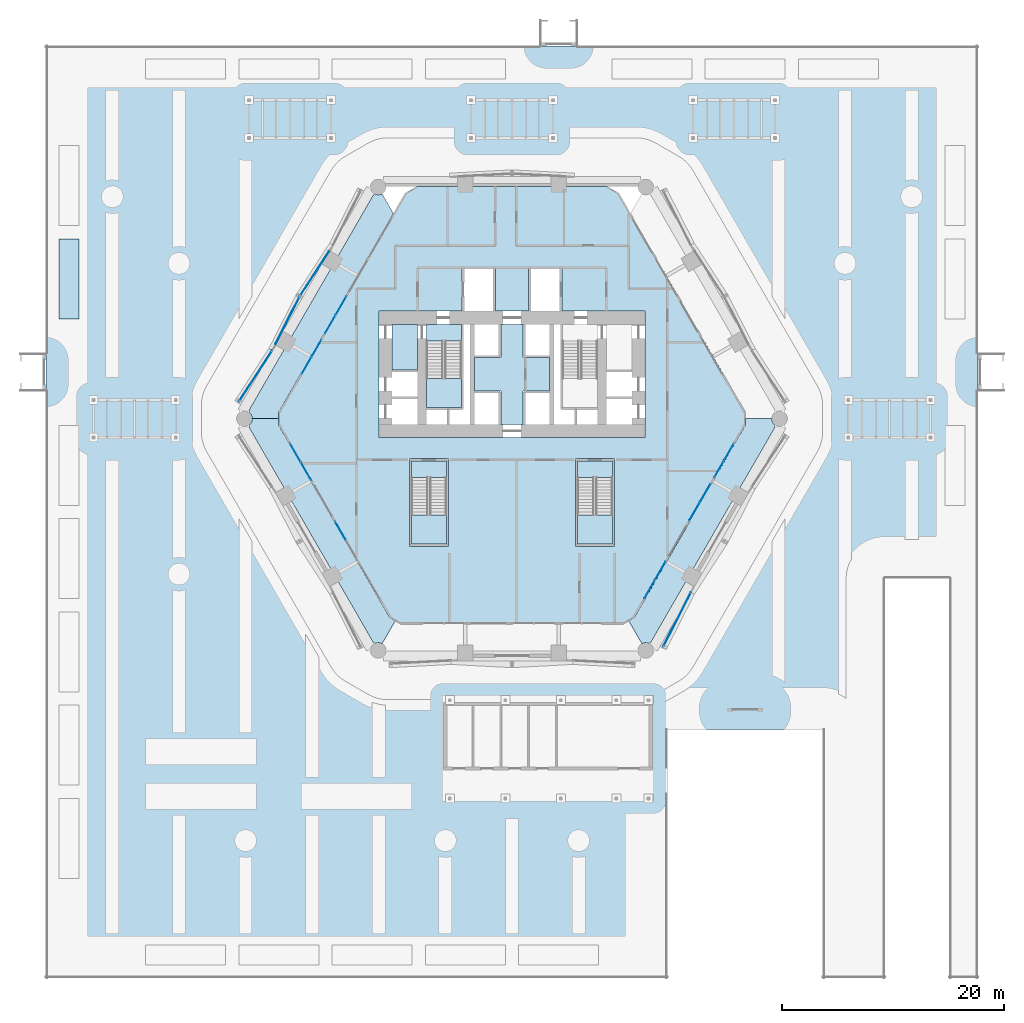
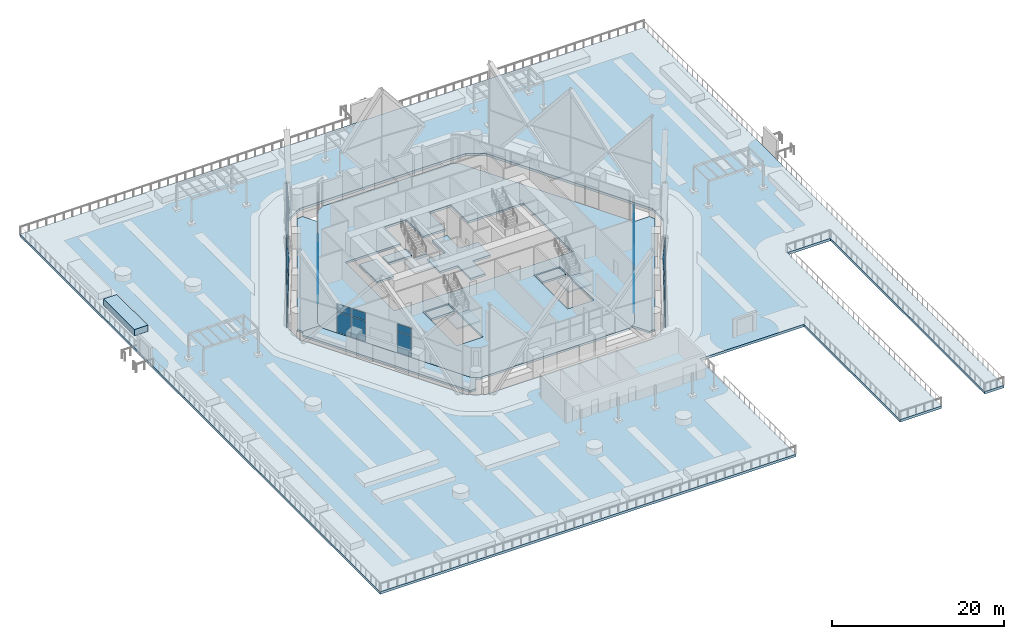
# One storey, part 50 of 71: 34 plates, 14 slabs, 16 elements without a shape of their own.
"""IFC4 building model written with IfcOpenShell, lengths in metres."""

from ifc_helpers import new_model, si_unit, direction, frame, origin, origin_2d, place, context, subcontext, project, spatial, polyline, rectangle, outline, extrude, material, layer, layer_set, type_object, element, aggregate, save


model = new_model("IFC4")

# Units and contexts
model_context = context("Model", 3, precision=1e-05, world=origin(), true_north=direction((0.0, 1.0)))
body_context = subcontext(model_context, "Body", "Model", "MODEL_VIEW")
ifc_project = project(units=[si_unit("LENGTHUNIT", "METRE"), si_unit("AREAUNIT", "SQUARE_METRE"), si_unit("VOLUMEUNIT", "CUBIC_METRE"), si_unit("PLANEANGLEUNIT", "RADIAN"), si_unit("MASSUNIT", "GRAM", prefix="KILO")], contexts=[model_context])

# Site, building, storey
site_placement = place(None, origin())
site = spatial("IfcSite", under=ifc_project, at=site_placement, CompositionType="ELEMENT")
building_placement = place(site_placement, origin())
building = spatial("IfcBuilding", under=site, at=building_placement, Name="Ostrander Bayou Hotel Tower", CompositionType="ELEMENT")
storey_placement = place(building_placement, frame((0.0, 0.0, 10.0)))
storey = spatial("IfcBuildingStorey", under=building, at=storey_placement, Name="L02", CompositionType="ELEMENT", Elevation=10.0)

# Curtain wall, plate
ifc_material_1 = material(Name="Aluminium and clear glass", Category="aluminium")
curtain_wall_type_1 = type_object("IfcCurtainWallType", Name="CW-LAT lattice glazing", PredefinedType="NOTDEFINED", material=ifc_material_1)
curtain_wall_1_placement = place(storey_placement, origin())
curtain_wall_1 = element("IfcCurtainWall", 1, at=curtain_wall_1_placement, inside=storey, type_object=curtain_wall_type_1, Name="CW-LAT L02 NW 1", PredefinedType="NOTDEFINED")
ifc_material_2 = material(Name="Clear laminated glass", Category="glass")
ifc_layer_1 = layer(ifc_material_2, 0.028076171875)
ifc_layer_set_1 = layer_set([ifc_layer_1], Name="CW-LA glazing panel 28 mm")
plate_type_1 = type_object("IfcPlateType", Name="CW-LA glazing panel 28 mm", PredefinedType="CURTAIN_PANEL", material=ifc_layer_set_1)
plate_1_placement = place(storey_placement, frame((-16.4912109375, 15.072509765625, 5.32666015625), z_axis=(-0.83866831588, 0.544642502875, 0.0), x_axis=(-0.343396219021, -0.528779019569, -0.776190559866)))
plate_1 = element("IfcPlate", 2, at=plate_1_placement, type_object=plate_type_1, Name="CW-LAT panel 3", PredefinedType="CURTAIN_PANEL", context=body_context, shape_type="SweptSolid", body=[
    extrude(outline(polyline([(0.0, 0.0), (7.635699426082664, 4.440892098500626e-16), (2.3964131469868084, 4.255864105640347), (-0.6389928144209789, 0.5190528705229763), (0.0, 0.0)])), origin(), (0.0, 0.0, -1.0), 0.028076171875),
])

curtain_wall_2_placement = place(storey_placement, origin())
curtain_wall_2 = element("IfcCurtainWall", 3, at=curtain_wall_2_placement, inside=storey, type_object=curtain_wall_type_1, Name="CW-LAT L02 NW 2", PredefinedType="NOTDEFINED")
plate_2_placement = place(storey_placement, frame((-16.4912109375, 15.072509765625, 6.973388671875), z_axis=(0.83866831588, -0.544642502875, 0.0), x_axis=(-0.343404741429, -0.528792142808, 0.776177848994)))
plate_2 = element("IfcPlate", 4, at=plate_2_placement, type_object=plate_type_1, Name="CW-LAT panel 4", PredefinedType="CURTAIN_PANEL", context=body_context, shape_type="SweptSolid", body=[
    extrude(outline(polyline([(0.0, 0.0), (7.6355099279858605, 4.440892098500626e-16), (2.396309447277595, 4.255969727682082), (-0.6391718468398792, 0.519219686468159), (0.0, 0.0)])), origin(), (0.0, 0.0, -1.0), 0.028076171875),
])

curtain_wall_3_placement = place(storey_placement, origin())
curtain_wall_3 = element("IfcCurtainWall", 5, at=curtain_wall_3_placement, inside=storey, type_object=curtain_wall_type_1, Name="CW-LAT L02 NW 3", PredefinedType="NOTDEFINED")
plate_3_placement = place(storey_placement, frame((-21.298583984375, 6.74609375, 5.326171875), z_axis=(0.891003109581, -0.453997201222, 0.0), x_axis=(0.286229179281, 0.561745949327, -0.776217975406)))
plate_3 = element("IfcPlate", 6, at=plate_3_placement, type_object=plate_type_1, Name="CW-LAT panel 5", PredefinedType="CURTAIN_PANEL", context=body_context, shape_type="SweptSolid", body=[
    extrude(outline(polyline([(0.0, 0.0), (7.634800686173872, 4.440892098500626e-16), (2.395329352183567, 4.255636279135456), (-0.6393943967333364, 0.5193329284506303), (0.0, 0.0)])), origin(), (0.0, 0.0, -1.0), 0.028076171875),
])
aggregate(curtain_wall_3, [plate_3])

curtain_wall_4_placement = place(storey_placement, origin())
curtain_wall_4 = element("IfcCurtainWall", 7, at=curtain_wall_4_placement, inside=storey, type_object=curtain_wall_type_1, Name="CW-LAT L02 NW 4", PredefinedType="NOTDEFINED")
plate_4_placement = place(storey_placement, frame((-21.298583984375, 6.74609375, 6.973876953125), z_axis=(-0.891003109581, 0.453997201222, 0.0), x_axis=(0.286236284004, 0.561759892872, 0.776205264398)))
plate_4 = element("IfcPlate", 8, at=plate_4_placement, type_object=plate_type_1, Name="CW-LAT panel 6", PredefinedType="CURTAIN_PANEL", context=body_context, shape_type="SweptSolid", body=[
    extrude(outline(polyline([(0.0, 0.0), (7.634611181383837, 4.440892098500626e-16), (2.3952256466946564, 4.2557419116870525), (-0.6395734295274879, 0.5194997450789859), (0.0, 0.0)])), origin(), (0.0, 0.0, -1.0), 0.028076171875),
])
aggregate(curtain_wall_4, [plate_4])

# Plate
plate_5_placement = place(storey_placement, frame((-21.602294921875, 6.14990234375, 6.14990234375), z_axis=(-0.838682608864, 0.544620493178, 0.0), x_axis=(-0.343376932244, -0.528779700664, -0.776198628296)))
plate_5 = element("IfcPlate", 9, at=plate_5_placement, type_object=plate_type_1, Name="CW-LAT panel 7", PredefinedType="CURTAIN_PANEL", context=body_context, shape_type="SweptSolid", body=[
    extrude(outline(polyline([(0.0, 0.0), (8.69622768442554, 0.0), (3.4568869434281657, 4.255797058099114), (0.0, 0.0)])), origin(), (0.0, 0.0, -1.0), 0.028076171875),
])

aggregate(curtain_wall_1, [plate_1, plate_5])

plate_6_placement = place(storey_placement, frame((-21.602294921875, 6.14990234375, 6.14990234375), z_axis=(0.838682608864, -0.544620493178, 0.0), x_axis=(-0.343376932244, -0.528779700664, 0.776198628296)))
plate_6 = element("IfcPlate", 10, at=plate_6_placement, type_object=plate_type_1, Name="CW-LAT panel 8", PredefinedType="CURTAIN_PANEL", context=body_context, shape_type="SweptSolid", body=[
    extrude(outline(polyline([(0.0, 0.0), (8.69622768442554, 0.0), (3.4568869434281657, 4.255797058099114), (0.0, 0.0)])), origin(), (0.0, 0.0, -1.0), 0.028076171875),
])

aggregate(curtain_wall_2, [plate_2, plate_6])

# Curtain wall, plate
curtain_wall_5_placement = place(storey_placement, origin())
curtain_wall_5 = element("IfcCurtainWall", 11, at=curtain_wall_5_placement, inside=storey, type_object=curtain_wall_type_1, Name="CW-LAT L02 SE 3", PredefinedType="NOTDEFINED")
plate_7_placement = place(storey_placement, frame((16.126953125, -15.63330078125, 6.14990234375), z_axis=(-0.891017407703, 0.453969139007, 0.0), x_axis=(-0.286219486036, -0.561770663617, -0.776203663553)))
plate_7 = element("IfcPlate", 12, at=plate_7_placement, type_object=plate_type_1, Name="CW-LAT panel 1", PredefinedType="CURTAIN_PANEL", context=body_context, shape_type="SweptSolid", body=[
    extrude(outline(polyline([(0.0, 0.0), (8.69617127173284, -8.881784197001252e-16), (3.4567965427527145, 4.255755214920665), (0.0, 0.0)])), origin(), (0.0, 0.0, -1.0), 0.028076171875),
])
aggregate(curtain_wall_5, [plate_7])

curtain_wall_6_placement = place(storey_placement, origin())
curtain_wall_6 = element("IfcCurtainWall", 13, at=curtain_wall_6_placement, inside=storey, type_object=curtain_wall_type_1, Name="CW-LAT L02 SE 4", PredefinedType="NOTDEFINED")
plate_8_placement = place(storey_placement, frame((16.126953125, -15.63330078125, 6.14990234375), z_axis=(0.891017407703, -0.453969139007, 0.0), x_axis=(-0.286219486036, -0.561770663617, 0.776203663553)))
plate_8 = element("IfcPlate", 14, at=plate_8_placement, type_object=plate_type_1, Name="CW-LAT panel 2", PredefinedType="CURTAIN_PANEL", context=body_context, shape_type="SweptSolid", body=[
    extrude(outline(polyline([(0.0, 0.0), (8.69617127173284, -8.881784197001252e-16), (3.4567965427527145, 4.255755214920665), (0.0, 0.0)])), origin(), (0.0, 0.0, -1.0), 0.028076171875),
])
aggregate(curtain_wall_6, [plate_8])

# Curtain wall, plates
ifc_material_3 = material(Name="Aluminium and clear glass", Category="aluminium")
curtain_wall_type_2 = type_object("IfcCurtainWallType", Name="CW-SKY amenity glass wall", PredefinedType="NOTDEFINED", material=ifc_material_3)
curtain_wall_7_placement = place(storey_placement, origin())
curtain_wall_7 = element("IfcCurtainWall", 15, at=curtain_wall_7_placement, inside=storey, type_object=curtain_wall_type_2, Name="CW-SKY L02 NW 3", PredefinedType="NOTDEFINED")
ifc_material_4 = material(Name="Clear laminated glass", Category="glass")
ifc_layer_2 = layer(ifc_material_4, 0.028076171875)
ifc_layer_set_2 = layer_set([ifc_layer_2], Name="CW-SK glazing panel 28 mm")
plate_type_2 = type_object("IfcPlateType", Name="CW-SK glazing panel 28 mm", PredefinedType="CURTAIN_PANEL", material=ifc_layer_set_2)
plate_9_placement = place(storey_placement, frame((-15.401611328125, 10.173828125, 0.06005859375), z_axis=(0.0, 0.0, 1.0), x_axis=(-0.499999897278, -0.866025463091, 0.0)))
plate_9 = element("IfcPlate", 16, at=plate_9_placement, type_object=plate_type_2, Name="CW-SKY panel 1.1", PredefinedType="CURTAIN_PANEL", context=body_context, shape_type="SweptSolid", body=[
    extrude(rectangle(XDim=1.860107421875, YDim=0.028076171875, at=origin_2d()), origin(), (0.0, 0.0, 1.0), 2.909912109375),
])
plate_10_placement = place(storey_placement, frame((-15.401611328125, 10.173828125, 3.02978515625), z_axis=(0.0, 0.0, 1.0), x_axis=(-0.499999897278, -0.866025463091, 0.0)))
plate_10 = element("IfcPlate", 17, at=plate_10_placement, type_object=plate_type_2, Name="CW-SKY panel 1.2", PredefinedType="CURTAIN_PANEL", context=body_context, shape_type="SweptSolid", body=[
    extrude(rectangle(XDim=1.860107421875, YDim=0.028076171875, at=origin_2d()), origin(), (0.0, 0.0, 1.0), 1.110107421875),
])
plate_11_placement = place(storey_placement, frame((-16.361572265625, 8.510986328125, 0.06005859375), z_axis=(0.0, 0.0, 1.0), x_axis=(-0.499999897278, -0.866025463091, 0.0)))
plate_11 = element("IfcPlate", 18, at=plate_11_placement, type_object=plate_type_2, Name="CW-SKY panel 2.1", PredefinedType="CURTAIN_PANEL", context=body_context, shape_type="SweptSolid", body=[
    extrude(rectangle(XDim=1.860107421875, YDim=0.028076171875, at=origin_2d()), origin(), (0.0, 0.0, 1.0), 2.909912109375),
])
plate_12_placement = place(storey_placement, frame((-16.361572265625, 8.510986328125, 3.02978515625), z_axis=(0.0, 0.0, 1.0), x_axis=(-0.499999897278, -0.866025463091, 0.0)))
plate_12 = element("IfcPlate", 19, at=plate_12_placement, type_object=plate_type_2, Name="CW-SKY panel 2.2", PredefinedType="CURTAIN_PANEL", context=body_context, shape_type="SweptSolid", body=[
    extrude(rectangle(XDim=1.860107421875, YDim=0.028076171875, at=origin_2d()), origin(), (0.0, 0.0, 1.0), 1.110107421875),
])
aggregate(curtain_wall_7, [plate_9, plate_10, plate_11, plate_12])

curtain_wall_8_placement = place(storey_placement, origin())
curtain_wall_8 = element("IfcCurtainWall", 20, at=curtain_wall_8_placement, inside=storey, type_object=curtain_wall_type_2, Name="CW-SKY L02 NW 4", PredefinedType="NOTDEFINED")
plate_13_placement = place(storey_placement, frame((-17.614013671875, 6.341552734375, 0.06005859375), z_axis=(0.0, 0.0, 1.0), x_axis=(-0.499998972029, -0.866025997283, 0.0)))
plate_13 = element("IfcPlate", 21, at=plate_13_placement, type_object=plate_type_2, Name="CW-SKY panel 1.1", PredefinedType="CURTAIN_PANEL", context=body_context, shape_type="SweptSolid", body=[
    extrude(rectangle(XDim=1.7099609375, YDim=0.028076171875, at=origin_2d()), origin(), (0.0, 0.0, 1.0), 2.909912109375),
])
plate_14_placement = place(storey_placement, frame((-17.614013671875, 6.341552734375, 3.02978515625), z_axis=(0.0, 0.0, 1.0), x_axis=(-0.499998972029, -0.866025997283, 0.0)))
plate_14 = element("IfcPlate", 22, at=plate_14_placement, type_object=plate_type_2, Name="CW-SKY panel 1.2", PredefinedType="CURTAIN_PANEL", context=body_context, shape_type="SweptSolid", body=[
    extrude(rectangle(XDim=1.7099609375, YDim=0.028076171875, at=origin_2d()), origin(), (0.0, 0.0, 1.0), 1.110107421875),
])
plate_15_placement = place(storey_placement, frame((-18.4990234375, 4.80859375, 0.06005859375), z_axis=(0.0, 0.0, 1.0), x_axis=(-0.499998972029, -0.866025997283, 0.0)))
plate_15 = element("IfcPlate", 23, at=plate_15_placement, type_object=plate_type_2, Name="CW-SKY panel 2.1", PredefinedType="CURTAIN_PANEL", context=body_context, shape_type="SweptSolid", body=[
    extrude(rectangle(XDim=1.7099609375, YDim=0.028076171875, at=origin_2d()), origin(), (0.0, 0.0, 1.0), 2.909912109375),
])
plate_16_placement = place(storey_placement, frame((-18.4990234375, 4.80859375, 3.02978515625), z_axis=(0.0, 0.0, 1.0), x_axis=(-0.499998972029, -0.866025997283, 0.0)))
plate_16 = element("IfcPlate", 24, at=plate_16_placement, type_object=plate_type_2, Name="CW-SKY panel 2.2", PredefinedType="CURTAIN_PANEL", context=body_context, shape_type="SweptSolid", body=[
    extrude(rectangle(XDim=1.7099609375, YDim=0.028076171875, at=origin_2d()), origin(), (0.0, 0.0, 1.0), 1.110107421875),
])
aggregate(curtain_wall_8, [plate_13, plate_14, plate_15, plate_16])

curtain_wall_9_placement = place(storey_placement, origin())
curtain_wall_9 = element("IfcCurtainWall", 25, at=curtain_wall_9_placement, inside=storey, type_object=curtain_wall_type_2, Name="CW-SKY L02 SW 1", PredefinedType="NOTDEFINED")
plate_17_placement = place(storey_placement, frame((-19.511474609375, -3.05517578125, 0.06005859375), z_axis=(0.0, 0.0, 1.0), x_axis=(0.499999897278, -0.866025463091, 0.0)))
plate_17 = element("IfcPlate", 26, at=plate_17_placement, type_object=plate_type_2, Name="CW-SKY panel 1.1", PredefinedType="CURTAIN_PANEL", context=body_context, shape_type="SweptSolid", body=[
    extrude(rectangle(XDim=1.860107421875, YDim=0.028076171875, at=origin_2d()), origin(), (0.0, 0.0, 1.0), 2.909912109375),
])
plate_18_placement = place(storey_placement, frame((-19.511474609375, -3.05517578125, 3.02978515625), z_axis=(0.0, 0.0, 1.0), x_axis=(0.499999897278, -0.866025463091, 0.0)))
plate_18 = element("IfcPlate", 27, at=plate_18_placement, type_object=plate_type_2, Name="CW-SKY panel 1.2", PredefinedType="CURTAIN_PANEL", context=body_context, shape_type="SweptSolid", body=[
    extrude(rectangle(XDim=1.860107421875, YDim=0.028076171875, at=origin_2d()), origin(), (0.0, 0.0, 1.0), 1.110107421875),
])
plate_19_placement = place(storey_placement, frame((-18.551513671875, -4.7177734375, 0.06005859375), z_axis=(0.0, 0.0, 1.0), x_axis=(0.499999897278, -0.866025463091, 0.0)))
plate_19 = element("IfcPlate", 28, at=plate_19_placement, type_object=plate_type_2, Name="CW-SKY panel 2.1", PredefinedType="CURTAIN_PANEL", context=body_context, shape_type="SweptSolid", body=[
    extrude(rectangle(XDim=1.860107421875, YDim=0.028076171875, at=origin_2d()), origin(), (0.0, 0.0, 1.0), 2.909912109375),
])
plate_20_placement = place(storey_placement, frame((-18.551513671875, -4.7177734375, 3.02978515625), z_axis=(0.0, 0.0, 1.0), x_axis=(0.499999897278, -0.866025463091, 0.0)))
plate_20 = element("IfcPlate", 29, at=plate_20_placement, type_object=plate_type_2, Name="CW-SKY panel 2.2", PredefinedType="CURTAIN_PANEL", context=body_context, shape_type="SweptSolid", body=[
    extrude(rectangle(XDim=1.860107421875, YDim=0.028076171875, at=origin_2d()), origin(), (0.0, 0.0, 1.0), 1.110107421875),
])
aggregate(curtain_wall_9, [plate_17, plate_18, plate_19, plate_20])

curtain_wall_10_placement = place(storey_placement, origin())
curtain_wall_10 = element("IfcCurtainWall", 30, at=curtain_wall_10_placement, inside=storey, type_object=curtain_wall_type_2, Name="CW-SKY L02 SW 3", PredefinedType="NOTDEFINED")
plate_21_placement = place(storey_placement, frame((-15.46142578125, -10.06982421875, 0.06005859375), z_axis=(0.0, 0.0, 1.0), x_axis=(0.499999897278, -0.866025463091, 0.0)))
plate_21 = element("IfcPlate", 31, at=plate_21_placement, type_object=plate_type_2, Name="CW-SKY panel 1.1", PredefinedType="CURTAIN_PANEL", context=body_context, shape_type="SweptSolid", body=[
    extrude(rectangle(XDim=1.860107421875, YDim=0.028076171875, at=origin_2d()), origin(), (0.0, 0.0, 1.0), 2.909912109375),
])
plate_22_placement = place(storey_placement, frame((-15.46142578125, -10.06982421875, 3.02978515625), z_axis=(0.0, 0.0, 1.0), x_axis=(0.499999897278, -0.866025463091, 0.0)))
plate_22 = element("IfcPlate", 32, at=plate_22_placement, type_object=plate_type_2, Name="CW-SKY panel 1.2", PredefinedType="CURTAIN_PANEL", context=body_context, shape_type="SweptSolid", body=[
    extrude(rectangle(XDim=1.860107421875, YDim=0.028076171875, at=origin_2d()), origin(), (0.0, 0.0, 1.0), 1.110107421875),
])
aggregate(curtain_wall_10, [plate_21, plate_22])

curtain_wall_11_placement = place(storey_placement, origin())
curtain_wall_11 = element("IfcCurtainWall", 33, at=curtain_wall_11_placement, inside=storey, type_object=curtain_wall_type_2, Name="CW-SKY L02 SE 1", PredefinedType="NOTDEFINED")
plate_23_placement = place(storey_placement, frame((12.401611328125, -15.369873046875, 0.06005859375), z_axis=(0.0, 0.0, 1.0), x_axis=(0.499999897278, 0.866025463091, 0.0)))
plate_23 = element("IfcPlate", 34, at=plate_23_placement, type_object=plate_type_2, Name="CW-SKY panel 1.1", PredefinedType="CURTAIN_PANEL", context=body_context, shape_type="SweptSolid", body=[
    extrude(rectangle(XDim=1.860107421875, YDim=0.028076171875, at=origin_2d()), origin(), (0.0, 0.0, 1.0), 2.909912109375),
])
plate_24_placement = place(storey_placement, frame((12.401611328125, -15.369873046875, 3.02978515625), z_axis=(0.0, 0.0, 1.0), x_axis=(0.499999897278, 0.866025463091, 0.0)))
plate_24 = element("IfcPlate", 35, at=plate_24_placement, type_object=plate_type_2, Name="CW-SKY panel 1.2", PredefinedType="CURTAIN_PANEL", context=body_context, shape_type="SweptSolid", body=[
    extrude(rectangle(XDim=1.860107421875, YDim=0.028076171875, at=origin_2d()), origin(), (0.0, 0.0, 1.0), 1.110107421875),
])
plate_25_placement = place(storey_placement, frame((13.361572265625, -13.707275390625, 0.06005859375), z_axis=(0.0, 0.0, 1.0), x_axis=(0.499999897278, 0.866025463091, 0.0)))
plate_25 = element("IfcPlate", 36, at=plate_25_placement, type_object=plate_type_2, Name="CW-SKY panel 2.1", PredefinedType="CURTAIN_PANEL", context=body_context, shape_type="SweptSolid", body=[
    extrude(rectangle(XDim=1.860107421875, YDim=0.028076171875, at=origin_2d()), origin(), (0.0, 0.0, 1.0), 2.909912109375),
])
plate_26_placement = place(storey_placement, frame((13.361572265625, -13.707275390625, 3.02978515625), z_axis=(0.0, 0.0, 1.0), x_axis=(0.499999897278, 0.866025463091, 0.0)))
plate_26 = element("IfcPlate", 37, at=plate_26_placement, type_object=plate_type_2, Name="CW-SKY panel 2.2", PredefinedType="CURTAIN_PANEL", context=body_context, shape_type="SweptSolid", body=[
    extrude(rectangle(XDim=1.860107421875, YDim=0.028076171875, at=origin_2d()), origin(), (0.0, 0.0, 1.0), 1.110107421875),
])
aggregate(curtain_wall_11, [plate_23, plate_24, plate_25, plate_26])

curtain_wall_12_placement = place(storey_placement, origin())
curtain_wall_12 = element("IfcCurtainWall", 38, at=curtain_wall_12_placement, inside=storey, type_object=curtain_wall_type_2, Name="CW-SKY L02 SE 3", PredefinedType="NOTDEFINED")
plate_27_placement = place(storey_placement, frame((16.451416015625, -8.355224609375, 0.06005859375), z_axis=(0.0, 0.0, 1.0), x_axis=(0.499999897278, 0.866025463091, 0.0)))
plate_27 = element("IfcPlate", 39, at=plate_27_placement, type_object=plate_type_2, Name="CW-SKY panel 1.1", PredefinedType="CURTAIN_PANEL", context=body_context, shape_type="SweptSolid", body=[
    extrude(rectangle(XDim=1.860107421875, YDim=0.028076171875, at=origin_2d()), origin(), (0.0, 0.0, 1.0), 2.909912109375),
])
plate_28_placement = place(storey_placement, frame((16.451416015625, -8.355224609375, 3.02978515625), z_axis=(0.0, 0.0, 1.0), x_axis=(0.499999897278, 0.866025463091, 0.0)))
plate_28 = element("IfcPlate", 40, at=plate_28_placement, type_object=plate_type_2, Name="CW-SKY panel 1.2", PredefinedType="CURTAIN_PANEL", context=body_context, shape_type="SweptSolid", body=[
    extrude(rectangle(XDim=1.860107421875, YDim=0.028076171875, at=origin_2d()), origin(), (0.0, 0.0, 1.0), 1.110107421875),
])
plate_29_placement = place(storey_placement, frame((17.41162109375, -6.6923828125, 0.06005859375), z_axis=(0.0, 0.0, 1.0), x_axis=(0.499999897278, 0.866025463091, 0.0)))
plate_29 = element("IfcPlate", 41, at=plate_29_placement, type_object=plate_type_2, Name="CW-SKY panel 2.1", PredefinedType="CURTAIN_PANEL", context=body_context, shape_type="SweptSolid", body=[
    extrude(rectangle(XDim=1.860107421875, YDim=0.028076171875, at=origin_2d()), origin(), (0.0, 0.0, 1.0), 2.909912109375),
])
plate_30_placement = place(storey_placement, frame((17.41162109375, -6.6923828125, 3.02978515625), z_axis=(0.0, 0.0, 1.0), x_axis=(0.499999897278, 0.866025463091, 0.0)))
plate_30 = element("IfcPlate", 42, at=plate_30_placement, type_object=plate_type_2, Name="CW-SKY panel 2.2", PredefinedType="CURTAIN_PANEL", context=body_context, shape_type="SweptSolid", body=[
    extrude(rectangle(XDim=1.860107421875, YDim=0.028076171875, at=origin_2d()), origin(), (0.0, 0.0, 1.0), 1.110107421875),
])
aggregate(curtain_wall_12, [plate_27, plate_28, plate_29, plate_30])

curtain_wall_13_placement = place(storey_placement, origin())
curtain_wall_13 = element("IfcCurtainWall", 43, at=curtain_wall_13_placement, inside=storey, type_object=curtain_wall_type_2, Name="CW-SKY L02 SE 4", PredefinedType="NOTDEFINED")
plate_31_placement = place(storey_placement, frame((18.6640625, -4.52294921875, 0.06005859375), z_axis=(0.0, 0.0, 1.0), x_axis=(0.499998972029, 0.866025997283, 0.0)))
plate_31 = element("IfcPlate", 44, at=plate_31_placement, type_object=plate_type_2, Name="CW-SKY panel 1.1", PredefinedType="CURTAIN_PANEL", context=body_context, shape_type="SweptSolid", body=[
    extrude(rectangle(XDim=1.7099609375, YDim=0.028076171875, at=origin_2d()), origin(), (0.0, 0.0, 1.0), 2.909912109375),
])
plate_32_placement = place(storey_placement, frame((18.6640625, -4.52294921875, 3.02978515625), z_axis=(0.0, 0.0, 1.0), x_axis=(0.499998972029, 0.866025997283, 0.0)))
plate_32 = element("IfcPlate", 45, at=plate_32_placement, type_object=plate_type_2, Name="CW-SKY panel 1.2", PredefinedType="CURTAIN_PANEL", context=body_context, shape_type="SweptSolid", body=[
    extrude(rectangle(XDim=1.7099609375, YDim=0.028076171875, at=origin_2d()), origin(), (0.0, 0.0, 1.0), 1.110107421875),
])
plate_33_placement = place(storey_placement, frame((19.549072265625, -2.990234375, 0.06005859375), z_axis=(0.0, 0.0, 1.0), x_axis=(0.499998972029, 0.866025997283, 0.0)))
plate_33 = element("IfcPlate", 46, at=plate_33_placement, type_object=plate_type_2, Name="CW-SKY panel 2.1", PredefinedType="CURTAIN_PANEL", context=body_context, shape_type="SweptSolid", body=[
    extrude(rectangle(XDim=1.7099609375, YDim=0.028076171875, at=origin_2d()), origin(), (0.0, 0.0, 1.0), 2.909912109375),
])
plate_34_placement = place(storey_placement, frame((19.549072265625, -2.990234375, 3.02978515625), z_axis=(0.0, 0.0, 1.0), x_axis=(0.499998972029, 0.866025997283, 0.0)))
plate_34 = element("IfcPlate", 47, at=plate_34_placement, type_object=plate_type_2, Name="CW-SKY panel 2.2", PredefinedType="CURTAIN_PANEL", context=body_context, shape_type="SweptSolid", body=[
    extrude(rectangle(XDim=1.7099609375, YDim=0.028076171875, at=origin_2d()), origin(), (0.0, 0.0, 1.0), 1.110107421875),
])
aggregate(curtain_wall_13, [plate_31, plate_32, plate_33, plate_34])

# Slabs
ifc_material_5 = material(Name="Concrete f'c 40 MPa", Category="concrete")
ifc_layer_3 = layer(ifc_material_5, 0.89990234375)
ifc_layer_set_3 = layer_set([ifc_layer_3], Name="PL1 planter bed 900 mm soil")
slab_type_1 = type_object("IfcSlabType", Name="PL1 planter bed 900 mm soil", PredefinedType="FLOOR", material=ifc_layer_set_3)
slab_1_placement = place(storey_placement, origin())
element("IfcSlab", 48, at=slab_1_placement, inside=storey, type_object=slab_type_1, Name="PLANTER 19", PredefinedType="FLOOR", context=body_context, shape_type="SweptSolid", body=[
    extrude(outline(polyline([(-39.0, 9.0), (-39.0, 16.199951171875), (-40.800048828125, 16.199951171875), (-40.800048828125, 9.0), (-39.0, 9.0)])), origin(), (0.0, 0.0, 1.0), 0.89990234375),
])
ifc_material_6 = material(Name="Concrete f'c 40 MPa", Category="concrete")
ifc_layer_4 = layer(ifc_material_6, 0.300048828125)
ifc_layer_set_4 = layer_set([ifc_layer_4], Name="SL1 floor slab 300 mm f'c 40 MPa")
slab_type_2 = type_object("IfcSlabType", Name="SL1 floor slab 300 mm f'c 40 MPa", PredefinedType="FLOOR", material=ifc_layer_set_4)
slab_2_placement = place(storey_placement, frame((0.0, 0.0, -0.300048828125)))
element("IfcSlab", 49, at=slab_2_placement, inside=storey, type_object=slab_type_2, Name="SL1 L02 1", PredefinedType="FLOOR", context=body_context, shape_type="SweptSolid", body=[
    extrude(outline(polyline([(-3.525390625, 20.89990234375), (3.525390625, 20.89990234375), (4.865478515625, 20.89990234375), (8.6025390625, 20.89990234375), (9.6416015625, 20.300048828125), (21.015380859375, 0.60009765625), (21.015380859375, -0.60009765625), (11.02734375, -17.89990234375), (9.98828125, -18.5), (-9.98828125, -18.5), (-11.02734375, -17.89990234375), (-21.015380859375, -0.60009765625), (-21.015380859375, 0.60009765625), (-9.6416015625, 20.300048828125), (-8.6025390625, 20.89990234375), (-4.865478515625, 20.89990234375), (-3.525390625, 20.89990234375)]), holes=[polyline([(-12.0, -1.699951171875), (12.0, -1.699951171875), (12.0, 9.699951171875), (4.5, 9.699951171875), (4.5, 13.60009765625), (1.5, 13.60009765625), (1.5, 9.699951171875), (-1.5, 9.699951171875), (-1.5, 13.60009765625), (-4.5, 13.60009765625), (-4.5, 9.699951171875), (-12.0, 9.699951171875), (-12.0, -1.699951171875)]), polyline([(9.25, -3.60009765625), (5.699951171875, -3.60009765625), (5.699951171875, -11.5), (9.25, -11.5), (9.25, -3.60009765625)]), polyline([(-5.699951171875, -3.60009765625), (-9.25, -3.60009765625), (-9.25, -11.5), (-5.699951171875, -11.5), (-5.699951171875, -3.60009765625)])]), origin(), (0.0, 0.0, 1.0), 0.300048828125),
])
slab_3_placement = place(storey_placement, frame((0.0, 0.0, -0.300048828125)))
element("IfcSlab", 50, at=slab_3_placement, inside=storey, type_object=slab_type_2, Name="cslab:L02:001", PredefinedType="FLOOR", context=body_context, shape_type="SweptSolid", body=[
    extrude(outline(polyline([(-3.39990234375, 5.5), (-1.0, 5.5), (-1.0, 8.5), (1.0, 8.5), (1.0, 5.5), (3.39990234375, 5.5), (3.39990234375, 2.5), (1.0, 2.5), (1.0, -0.5), (-1.0, -0.5), (-1.0, 2.5), (-3.39990234375, 2.5), (-3.39990234375, 5.5)])), origin(), (0.0, 0.0, 1.0), 0.300048828125),
])
slab_4_placement = place(storey_placement, frame((0.0, 0.0, -0.300048828125)))
element("IfcSlab", 51, at=slab_4_placement, inside=storey, type_object=slab_type_2, Name="cslab:L02:002", PredefinedType="FLOOR", context=body_context, shape_type="SweptSolid", body=[
    extrude(outline(polyline([(-8.5, 4.39990234375), (-8.5, 8.5), (-10.800048828125, 8.5), (-10.800048828125, 4.39990234375), (-8.5, 4.39990234375)])), origin(), (0.0, 0.0, 1.0), 0.300048828125),
])
slab_5_placement = place(storey_placement, frame((0.0, 0.0, -0.300048828125)))
element("IfcSlab", 52, at=slab_5_placement, inside=storey, type_object=slab_type_2, Name="cslab:L02:004", PredefinedType="FLOOR", context=body_context, shape_type="SweptSolid", body=[
    extrude(outline(polyline([(-4.550048828125, 7.0), (-4.550048828125, 8.5), (-7.699951171875, 8.5), (-7.699951171875, 7.0), (-4.550048828125, 7.0)])), origin(), (0.0, 0.0, 1.0), 0.300048828125),
])
slab_6_placement = place(storey_placement, frame((0.0, 0.0, -0.300048828125)))
element("IfcSlab", 53, at=slab_6_placement, inside=storey, type_object=slab_type_2, Name="cslab:L02:006", PredefinedType="FLOOR", context=body_context, shape_type="SweptSolid", body=[
    extrude(outline(polyline([(9.050048828125, -5.300048828125), (9.050048828125, -3.800048828125), (5.89990234375, -3.800048828125), (5.89990234375, -5.300048828125), (9.050048828125, -5.300048828125)])), origin(), (0.0, 0.0, 1.0), 0.300048828125),
])
slab_7_placement = place(storey_placement, frame((0.0, 0.0, -0.300048828125)))
element("IfcSlab", 54, at=slab_7_placement, inside=storey, type_object=slab_type_2, Name="cslab:L02:007", PredefinedType="FLOOR", context=body_context, shape_type="SweptSolid", body=[
    extrude(outline(polyline([(-5.89990234375, -5.300048828125), (-5.89990234375, -3.800048828125), (-9.050048828125, -3.800048828125), (-9.050048828125, -5.300048828125), (-5.89990234375, -5.300048828125)])), origin(), (0.0, 0.0, 1.0), 0.300048828125),
])
ifc_material_7 = material(Name="Concrete f'c 45 MPa", Category="concrete")
ifc_layer_5 = layer(ifc_material_7, 0.35009765625)
ifc_layer_set_5 = layer_set([ifc_layer_5], Name="SL3 garden deck slab 350 mm f'c 45 MPa")
slab_type_3 = type_object("IfcSlabType", Name="SL3 garden deck slab 350 mm f'c 45 MPa", PredefinedType="FLOOR", material=ifc_layer_set_5)
slab_8_placement = place(storey_placement, frame((0.0, 0.0, -0.35009765625)))
element("IfcSlab", 55, at=slab_8_placement, inside=storey, type_object=slab_type_3, Name="SL3 DECK 1", PredefinedType="FLOOR", context=body_context, shape_type="SweptSolid", body=[
    extrude(outline(polyline([(42.0, 33.60009765625), (42.0, -50.39990234375), (39.39990234375, -50.39990234375), (39.39990234375, -14.39990234375), (33.60009765625, -14.39990234375), (33.60009765625, -50.39990234375), (28.0, -50.39990234375), (28.0, -28.0), (14.0, -28.0), (14.0, -50.39990234375), (-42.0, -50.39990234375), (-42.0, 33.60009765625), (42.0, 33.60009765625)]), holes=[polyline([(-13.279052734375, -20.60009765625), (-11.20068359375, -21.800048828125), (11.20068359375, -21.800048828125), (13.279052734375, -20.60009765625), (24.479736328125, -1.199951171875), (24.479736328125, 1.199951171875), (13.279052734375, 20.60009765625), (11.20068359375, 21.800048828125), (-11.20068359375, 21.800048828125), (-13.279052734375, 20.60009765625), (-24.479736328125, 1.199951171875), (-24.479736328125, -1.199951171875), (-13.279052734375, -20.60009765625)])]), origin(), (0.0, 0.0, 1.0), 0.35009765625),
])
ifc_material_8 = material(Name="Concrete f'c 40 MPa", Category="concrete")
ifc_layer_6 = layer(ifc_material_8, 0.300048828125)
ifc_layer_set_6 = layer_set([ifc_layer_6], Name="SL4 loggia slab 300 mm f'c 40 MPa")
slab_type_4 = type_object("IfcSlabType", Name="SL4 loggia slab 300 mm f'c 40 MPa", PredefinedType="FLOOR", material=ifc_layer_set_6)
slab_9_placement = place(storey_placement, frame((0.0, 0.0, -0.300048828125)))
element("IfcSlab", 56, at=slab_9_placement, inside=storey, type_object=slab_type_4, Name="SL4 LOGGIA L02 NW 1", PredefinedType="FLOOR", context=body_context, shape_type="SweptSolid", body=[
    extrude(outline(polyline([(-23.401123046875, 0.0), (-23.41455078125, 0.13671875), (-23.45458984375, 0.267822265625), (-23.519287109375, 0.388916015625), (-23.606201171875, 0.4951171875), (-23.7001953125, 0.572021484375), (-23.7001953125, 0.75), (-20.53271484375, 6.236328125), (-19.862548828125, 7.39697265625), (-16.337158203125, 13.503173828125), (-15.667236328125, 14.66357421875), (-12.49951171875, 20.14990234375), (-12.344482421875, 20.239501953125), (-12.318603515625, 20.2255859375), (-12.187255859375, 20.185791015625), (-12.050537109375, 20.172119140625), (-11.9140625, 20.185791015625), (-11.78271484375, 20.2255859375), (-11.7021484375, 20.2685546875), (-10.680908203125, 18.5), (-21.015380859375, 0.60009765625), (-21.015380859375, 0.0), (-23.401123046875, 0.0)])), origin(), (0.0, 0.0, 1.0), 0.300048828125),
])
slab_10_placement = place(storey_placement, frame((0.0, 0.0, -0.300048828125)))
element("IfcSlab", 57, at=slab_10_placement, inside=storey, type_object=slab_type_4, Name="SL4 LOGGIA L02 SW 1", PredefinedType="FLOOR", context=body_context, shape_type="SweptSolid", body=[
    extrude(outline(polyline([(-10.5078125, -18.199951171875), (-11.7021484375, -20.2685546875), (-11.78271484375, -20.2255859375), (-11.9140625, -20.185791015625), (-12.050537109375, -20.172119140625), (-12.187255859375, -20.185791015625), (-12.318603515625, -20.2255859375), (-12.344482421875, -20.239501953125), (-12.49951171875, -20.14990234375), (-15.667236328125, -14.66357421875), (-16.337158203125, -13.503173828125), (-19.862548828125, -7.39697265625), (-20.53271484375, -6.236328125), (-23.505126953125, -1.087890625), (-23.7001953125, -0.75), (-23.7001953125, -0.572021484375), (-23.606201171875, -0.4951171875), (-23.519287109375, -0.388916015625), (-23.45458984375, -0.267822265625), (-23.41455078125, -0.13671875), (-23.401123046875, 0.0), (-21.015380859375, 0.0), (-21.015380859375, -0.60009765625), (-11.02734375, -17.89990234375), (-10.5078125, -18.199951171875)])), origin(), (0.0, 0.0, 1.0), 0.300048828125),
])
slab_11_placement = place(storey_placement, frame((0.0, 0.0, -0.300048828125)))
element("IfcSlab", 58, at=slab_11_placement, inside=storey, type_object=slab_type_4, Name="SL4 LOGGIA L02 SE 1", PredefinedType="FLOOR", context=body_context, shape_type="SweptSolid", body=[
    extrude(outline(polyline([(21.015380859375, 0.0), (23.401123046875, 0.0), (23.41455078125, -0.13671875), (23.45458984375, -0.267822265625), (23.519287109375, -0.388916015625), (23.606201171875, -0.4951171875), (23.7001953125, -0.572021484375), (23.7001953125, -0.75), (20.53271484375, -6.236328125), (19.862548828125, -7.39697265625), (16.337158203125, -13.503173828125), (15.667236328125, -14.66357421875), (12.49951171875, -20.14990234375), (12.344482421875, -20.239501953125), (12.318603515625, -20.2255859375), (12.187255859375, -20.185791015625), (12.050537109375, -20.172119140625), (11.9140625, -20.185791015625), (11.78271484375, -20.2255859375), (11.7021484375, -20.2685546875), (10.5078125, -18.199951171875), (11.02734375, -17.89990234375), (21.015380859375, -0.60009765625), (21.015380859375, 0.0)])), origin(), (0.0, 0.0, 1.0), 0.300048828125),
])

# Stair, slab
ifc_material_9 = material(Name="Concrete f'c 45 MPa", Category="concrete")
stair_type = type_object("IfcStairType", Name="ST1 exit stair 1500 mm f'c 45 MPa", PredefinedType="HALF_TURN_STAIR", material=ifc_material_9)
stair_1_placement = place(storey_placement, origin())
stair_1 = element("IfcStair", 59, at=stair_1_placement, inside=storey, type_object=stair_type, Name="L02 exit stair A", PredefinedType="HALF_TURN_STAIR")
ifc_material_10 = material(Name="Concrete f'c 45 MPa", Category="concrete")
ifc_layer_7 = layer(ifc_material_10, 0.199951171875)
ifc_layer_set_7 = layer_set([ifc_layer_7], Name="SL8 stair landing 200 mm f'c 45 MPa")
slab_type_5 = type_object("IfcSlabType", Name="SL8 stair landing 200 mm f'c 45 MPa", PredefinedType="LANDING", material=ifc_layer_set_7)
slab_12_placement = place(storey_placement, frame((0.0, 0.0, 2.050048828125)))
slab_12 = element("IfcSlab", 60, at=slab_12_placement, type_object=slab_type_5, Name="STA landing 1", PredefinedType="LANDING", context=body_context, shape_type="SweptSolid", body=[
    extrude(outline(polyline([(-7.699951171875, 3.639892578125), (-7.699951171875, 1.0), (-4.550048828125, 1.0), (-4.550048828125, 3.639892578125), (-7.699951171875, 3.639892578125)])), origin(), (0.0, 0.0, 1.0), 0.199951171875),
])
aggregate(stair_1, [slab_12])

stair_2_placement = place(storey_placement, origin())
stair_2 = element("IfcStair", 61, at=stair_2_placement, inside=storey, type_object=stair_type, Name="L02 exit stair C", PredefinedType="HALF_TURN_STAIR")
slab_13_placement = place(storey_placement, frame((0.0, 0.0, 2.050048828125)))
slab_13 = element("IfcSlab", 62, at=slab_13_placement, type_object=slab_type_5, Name="STC landing 1", PredefinedType="LANDING", context=body_context, shape_type="SweptSolid", body=[
    extrude(outline(polyline([(5.89990234375, -8.659912109375), (5.89990234375, -11.300048828125), (9.050048828125, -11.300048828125), (9.050048828125, -8.659912109375), (5.89990234375, -8.659912109375)])), origin(), (0.0, 0.0, 1.0), 0.199951171875),
])
aggregate(stair_2, [slab_13])

stair_3_placement = place(storey_placement, origin())
stair_3 = element("IfcStair", 63, at=stair_3_placement, inside=storey, type_object=stair_type, Name="L02 exit stair D", PredefinedType="HALF_TURN_STAIR")
slab_14_placement = place(storey_placement, frame((0.0, 0.0, 2.050048828125)))
slab_14 = element("IfcSlab", 64, at=slab_14_placement, type_object=slab_type_5, Name="STD landing 1", PredefinedType="LANDING", context=body_context, shape_type="SweptSolid", body=[
    extrude(outline(polyline([(-9.050048828125, -8.659912109375), (-9.050048828125, -11.300048828125), (-5.89990234375, -11.300048828125), (-5.89990234375, -8.659912109375), (-9.050048828125, -8.659912109375)])), origin(), (0.0, 0.0, 1.0), 0.199951171875),
])
aggregate(stair_3, [slab_14])

save(model, "model.ifc")
